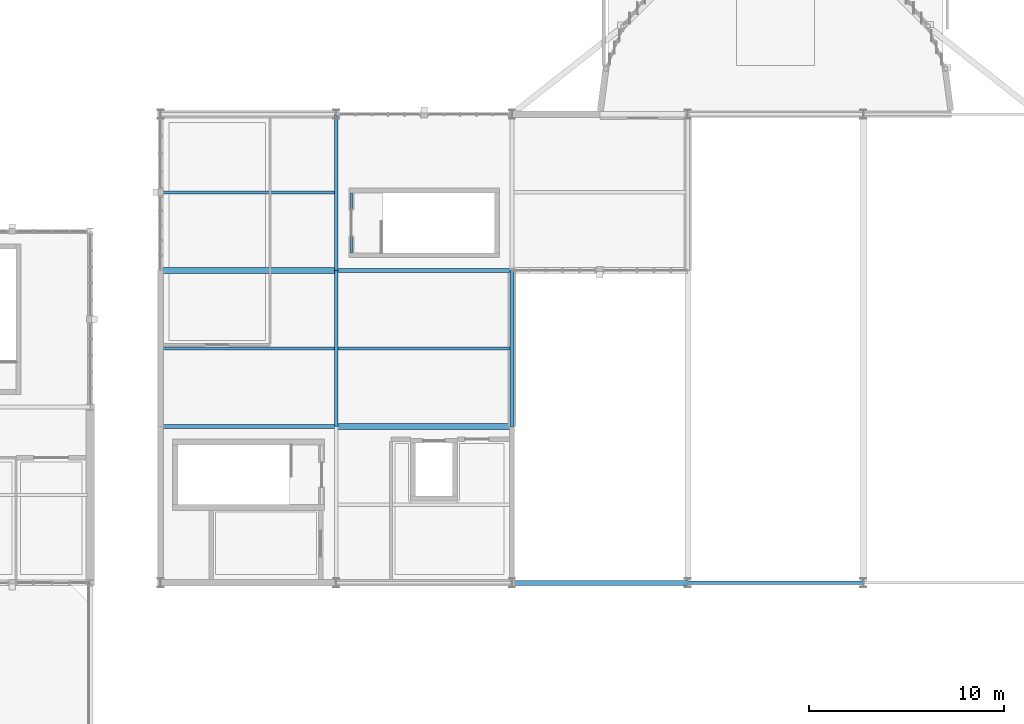
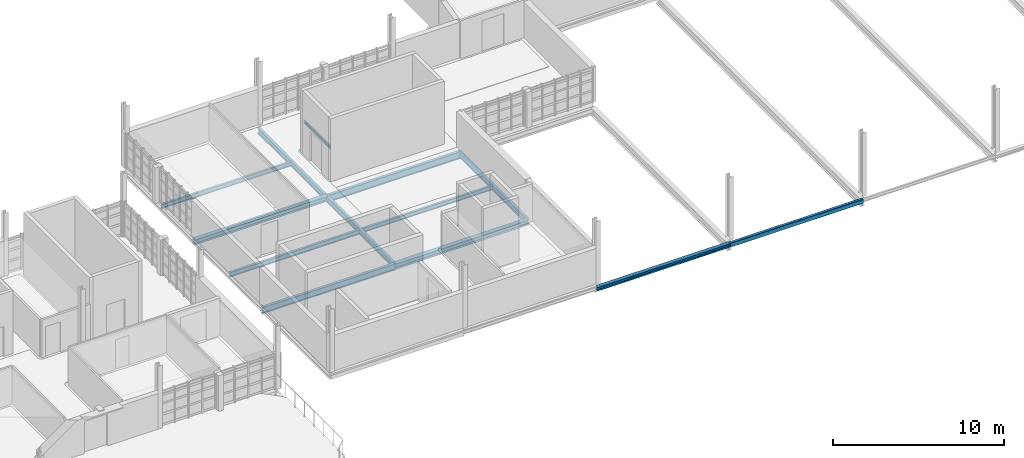
# One storey, part 10 of 44: 13 beams.
"""IFC4 building model written with IfcOpenShell, lengths in metres."""

from ifc_helpers import new_model, si_unit, direction, frame, origin, origin_2d, place, context, subcontext, project, spatial, hollow_rectangle, i_section, extrude, material, material_profile, profile_set, type_object, element, save


model = new_model("IFC4")

# Units and contexts
model_context = context("Model", 3, precision=1e-05, world=origin(), true_north=direction((0.0, 1.0)))
body_context = subcontext(model_context, "Body", "Model", "MODEL_VIEW")
ifc_project = project(units=[si_unit("LENGTHUNIT", "METRE"), si_unit("AREAUNIT", "SQUARE_METRE"), si_unit("VOLUMEUNIT", "CUBIC_METRE"), si_unit("PLANEANGLEUNIT", "RADIAN"), si_unit("MASSUNIT", "GRAM", prefix="KILO")], contexts=[model_context])

# Site, building, storey
site_placement = place(None, origin())
site = spatial("IfcSite", under=ifc_project, at=site_placement, CompositionType="ELEMENT")
building_placement = place(site_placement, origin())
building = spatial("IfcBuilding", under=site, at=building_placement, Name="Serraforn Aerial Cableway Station", CompositionType="ELEMENT")
storey_placement = place(building_placement, frame((0.0, 0.0, 13.800048828125)))
storey = spatial("IfcBuildingStorey", under=building, at=storey_placement, Name="L03", CompositionType="ELEMENT", Elevation=13.800048828125)

# Beams
ifc_material_1 = material(Name="Steel S355J2", Category="steel")
ifc_material_profile_1 = material_profile(ifc_material_1, i_section(OverallWidth=0.260009765625, OverallDepth=0.260009765625, WebThickness=0.010009765625, FlangeThickness=0.017578125, FilletRadius=0.02392578125, at=origin_2d()), Name="HEB 260")
ifc_profile_set_1 = profile_set([ifc_material_profile_1], Name="Steel S355J2")
beam_type_1 = type_object("IfcBeamType", Name="BM-ST-HEB260", PredefinedType="BEAM", material=ifc_profile_set_1)
beam_1_placement = place(storey_placement, frame((45.60009765625, 18.0, -0.449951171875), z_axis=(1.0, 0.0, 0.0), x_axis=(0.0, 1.0, 0.0)))
element("IfcBeam", 1, at=beam_1_placement, inside=storey, type_object=beam_type_1, Name="Grid Girder X CV L03 Y1-3", PredefinedType="BEAM", context=body_context, shape_type="SweptSolid", body=[
    extrude(i_section(OverallWidth=0.260009765625, OverallDepth=0.260009765625, WebThickness=0.010009765625, FlangeThickness=0.017578125, FilletRadius=0.02392578125, at=origin_2d()), origin(), (0.0, 0.0, 1.0), 9.0),
])
ifc_material_profile_2 = material_profile(ifc_material_1, i_section(OverallWidth=0.300048828125, OverallDepth=0.360107421875, WebThickness=0.012451171875, FlangeThickness=0.0224609375, FilletRadius=0.027099609375, at=origin_2d()), Name="HEB 360")
ifc_profile_set_2 = profile_set([ifc_material_profile_2], Name="Steel S355J2")
beam_type_2 = type_object("IfcBeamType", Name="BM-ST-HEB360", PredefinedType="USERDEFINED", material=ifc_profile_set_2)
for number, where, z_axis, x_axis, name in (
    (2, (36.60009765625, 26.0, -0.5), (1.0, 0.0, 0.0), (0.0, 1.0, 0.0), "Grid Girder X CV L03 Y2-2"),
    (3, (27.60009765625, 34.0, -0.5), (1.0, 0.0, 0.0), (0.0, 1.0, 0.0), "Grid Girder X CV L03 Y3-1"),
):
    element("IfcBeam", number, at=place(storey_placement, frame(where, z_axis=z_axis, x_axis=x_axis)), inside=storey, type_object=beam_type_2, Name=name, ObjectType="GIRDER", PredefinedType="USERDEFINED", context=body_context, shape_type="SweptSolid", body=[
        extrude(i_section(OverallWidth=0.300048828125, OverallDepth=0.360107421875, WebThickness=0.012451171875, FlangeThickness=0.0224609375, FilletRadius=0.027099609375, at=origin_2d()), origin(), (0.0, 0.0, 1.0), 9.0),
    ])
ifc_material_2 = material(Name="Steel S355JR", Category="steel")
ifc_material_profile_3 = material_profile(ifc_material_2, i_section(OverallWidth=0.10009765625, OverallDepth=0.199951171875, WebThickness=0.005615234375, FlangeThickness=0.008544921875, FilletRadius=0.011962890625, at=origin_2d()), Name="IPE 200")
ifc_profile_set_3 = profile_set([ifc_material_profile_3], Name="Steel S355JR")
beam_type_3 = type_object("IfcBeamType", Name="BM-ST-IPE200", PredefinedType="LINTEL", material=ifc_profile_set_3)
beam_2_placement = place(storey_placement, frame((37.375, 34.89990234375, 2.27490234375), z_axis=(0.0, 1.0, 0.0), x_axis=(-1.0, 0.0, 0.0)))
element("IfcBeam", 4, at=beam_2_placement, inside=storey, type_object=beam_type_3, Name="Stair Core Door Lintel D-S21", PredefinedType="LINTEL", context=body_context, shape_type="SweptSolid", body=[
    extrude(i_section(OverallWidth=0.10009765625, OverallDepth=0.199951171875, WebThickness=0.005615234375, FlangeThickness=0.008544921875, FilletRadius=0.011962890625, at=origin_2d()), origin(), (0.0, 0.0, 1.0), 3.06005859375),
])
ifc_material_profile_4 = material_profile(ifc_material_2, i_section(OverallWidth=0.14990234375, OverallDepth=0.300048828125, WebThickness=0.007080078125, FlangeThickness=0.0107421875, FilletRadius=0.014892578125, at=origin_2d()), Name="IPE 300")
ifc_profile_set_4 = profile_set([ifc_material_profile_4], Name="Steel S355JR")
beam_type_4 = type_object("IfcBeamType", Name="BM-ST-IPE300", PredefinedType="JOIST", material=ifc_profile_set_4)
beam_3_placement = place(storey_placement, frame((27.719970703125, 38.0, -0.445068359375), z_axis=(1.0, 0.0, 0.0), x_axis=(0.0, 1.0, 0.0)))
element("IfcBeam", 5, at=beam_3_placement, inside=storey, type_object=beam_type_4, Name="Floor Joist CV-L03-1-3-1", PredefinedType="JOIST", context=body_context, shape_type="SweptSolid", body=[
    extrude(i_section(OverallWidth=0.14990234375, OverallDepth=0.300048828125, WebThickness=0.007080078125, FlangeThickness=0.0107421875, FilletRadius=0.014892578125, at=origin_2d()), origin(), (0.0, 0.0, 1.0), 8.7900390625),
])
beam_4_placement = place(storey_placement, frame((36.68994140625, 30.0, -0.445068359375), z_axis=(1.0, 0.0, 0.0), x_axis=(0.0, 1.0, 0.0)))
element("IfcBeam", 6, at=beam_4_placement, inside=storey, type_object=beam_type_4, Name="Floor Joist CV-L03-2-2-1", PredefinedType="JOIST", context=body_context, shape_type="SweptSolid", body=[
    extrude(i_section(OverallWidth=0.14990234375, OverallDepth=0.300048828125, WebThickness=0.007080078125, FlangeThickness=0.0107421875, FilletRadius=0.014892578125, at=origin_2d()), origin(), (0.0, 0.0, 1.0), 8.820068359375),
])
ifc_material_profile_5 = material_profile(ifc_material_2, i_section(OverallWidth=0.159912109375, OverallDepth=0.330078125, WebThickness=0.007568359375, FlangeThickness=0.011474609375, FilletRadius=0.01806640625, at=origin_2d()), Name="IPE 330")
ifc_profile_set_5 = profile_set([ifc_material_profile_5], Name="Steel S355JR")
beam_type_5 = type_object("IfcBeamType", Name="BM-ST-IPE330", PredefinedType="JOIST", material=ifc_profile_set_5)
beam_5_placement = place(storey_placement, frame((27.719970703125, 30.0, -0.4599609375), z_axis=(1.0, 0.0, 0.0), x_axis=(0.0, 1.0, 0.0)))
element("IfcBeam", 7, at=beam_5_placement, inside=storey, type_object=beam_type_5, Name="Floor Joist CV-L03-1-2-1", PredefinedType="JOIST", context=body_context, shape_type="SweptSolid", body=[
    extrude(i_section(OverallWidth=0.159912109375, OverallDepth=0.330078125, WebThickness=0.007568359375, FlangeThickness=0.011474609375, FilletRadius=0.01806640625, at=origin_2d()), origin(), (0.0, 0.0, 1.0), 8.7900390625),
])
ifc_material_profile_6 = material_profile(ifc_material_2, i_section(OverallWidth=0.179931640625, OverallDepth=0.39990234375, WebThickness=0.008544921875, FlangeThickness=0.013427734375, FilletRadius=0.02099609375, at=origin_2d()), Name="IPE 400")
ifc_profile_set_6 = profile_set([ifc_material_profile_6], Name="Steel S355JR")
beam_type_6 = type_object("IfcBeamType", Name="BM-ST-IPE400", PredefinedType="BEAM", material=ifc_profile_set_6)
for number, where, z_axis, x_axis, name in (
    (8, (36.60009765625, 26.0, -0.52001953125), (0.0, 1.0, 0.0), (-1.0, 0.0, 0.0), "Grid Girder Y CV L03 X2-2"),
    (9, (36.60009765625, 34.0, -0.52001953125), (0.0, 1.0, 0.0), (-1.0, 0.0, 0.0), "Grid Girder Y CV L03 X2-3"),
    (10, (45.60009765625, 26.0, -0.52001953125), (0.0, 1.0, 0.0), (-1.0, 0.0, 0.0), "Grid Girder Y CV L03 X3-2"),
):
    element("IfcBeam", number, at=place(storey_placement, frame(where, z_axis=z_axis, x_axis=x_axis)), inside=storey, type_object=beam_type_6, Name=name, PredefinedType="BEAM", context=body_context, shape_type="SweptSolid", body=[
        extrude(i_section(OverallWidth=0.179931640625, OverallDepth=0.39990234375, WebThickness=0.008544921875, FlangeThickness=0.013427734375, FilletRadius=0.02099609375, at=origin_2d()), origin(), (0.0, 0.0, 1.0), 8.0),
    ])
ifc_material_profile_7 = material_profile(ifc_material_2, i_section(OverallWidth=0.18994140625, OverallDepth=0.449951171875, WebThickness=0.009521484375, FlangeThickness=0.0146484375, FilletRadius=0.02099609375, at=origin_2d()), Name="IPE 450")
ifc_profile_set_7 = profile_set([ifc_material_profile_7], Name="Steel S355JR")
beam_type_7 = type_object("IfcBeamType", Name="BM-ST-IPE450", PredefinedType="BEAM", material=ifc_profile_set_7)
beam_6_placement = place(storey_placement, frame((27.60009765625, 26.0, -0.545166015625), z_axis=(1.0, 0.0, 0.0), x_axis=(0.0, 1.0, 0.0)))
element("IfcBeam", 11, at=beam_6_placement, inside=storey, type_object=beam_type_7, Name="Grid Girder X CV L03 Y2-1", PredefinedType="BEAM", context=body_context, shape_type="SweptSolid", body=[
    extrude(i_section(OverallWidth=0.18994140625, OverallDepth=0.449951171875, WebThickness=0.009521484375, FlangeThickness=0.0146484375, FilletRadius=0.02099609375, at=origin_2d()), origin(), (0.0, 0.0, 1.0), 9.0),
])
ifc_material_profile_8 = material_profile(ifc_material_2, i_section(OverallWidth=0.199951171875, OverallDepth=0.5, WebThickness=0.01025390625, FlangeThickness=0.01611328125, FilletRadius=0.02099609375, at=origin_2d()), Name="IPE 500")
ifc_profile_set_8 = profile_set([ifc_material_profile_8], Name="Steel S355JR")
beam_type_8 = type_object("IfcBeamType", Name="BM-ST-IPE500", PredefinedType="USERDEFINED", material=ifc_profile_set_8)
beam_7_placement = place(storey_placement, frame((36.60009765625, 34.0, -0.570068359375), z_axis=(1.0, 0.0, 0.0), x_axis=(0.0, 1.0, 0.0)))
element("IfcBeam", 12, at=beam_7_placement, inside=storey, type_object=beam_type_8, Name="Grid Girder X CV L03 Y3-2", ObjectType="GIRDER", PredefinedType="USERDEFINED", context=body_context, shape_type="SweptSolid", body=[
    extrude(i_section(OverallWidth=0.199951171875, OverallDepth=0.5, WebThickness=0.01025390625, FlangeThickness=0.01611328125, FilletRadius=0.02099609375, at=origin_2d()), origin(), (0.0, 0.0, 1.0), 9.0),
])
ifc_material_profile_9 = material_profile(ifc_material_1, hollow_rectangle(XDim=0.199951171875, YDim=0.300048828125, WallThickness=0.012451171875, InnerFilletRadius=0.012451171875, OuterFilletRadius=0.02490234375, at=origin_2d()), Name="RHS 300x200x12.5")
ifc_profile_set_9 = profile_set([ifc_material_profile_9], Name="Steel S355J2")
beam_type_9 = type_object("IfcBeamType", Name="BM-ST-RHS300", PredefinedType="SPANDREL", material=ifc_profile_set_9)
beam_8_placement = place(storey_placement, frame((54.60009765625, 18.0, -0.469970703125), z_axis=(1.0, 0.0, 0.0), x_axis=(0.0, 1.0, 0.0)))
element("IfcBeam", 13, at=beam_8_placement, inside=storey, type_object=beam_type_9, Name="Grid Girder X CV L03 Y1-4", PredefinedType="SPANDREL", context=body_context, shape_type="SweptSolid", body=[
    extrude(hollow_rectangle(XDim=0.199951171875, YDim=0.300048828125, WallThickness=0.012451171875, InnerFilletRadius=0.012451171875, OuterFilletRadius=0.02490234375, at=origin_2d()), origin(), (0.0, 0.0, 1.0), 9.0),
])

save(model, "model.ifc")
